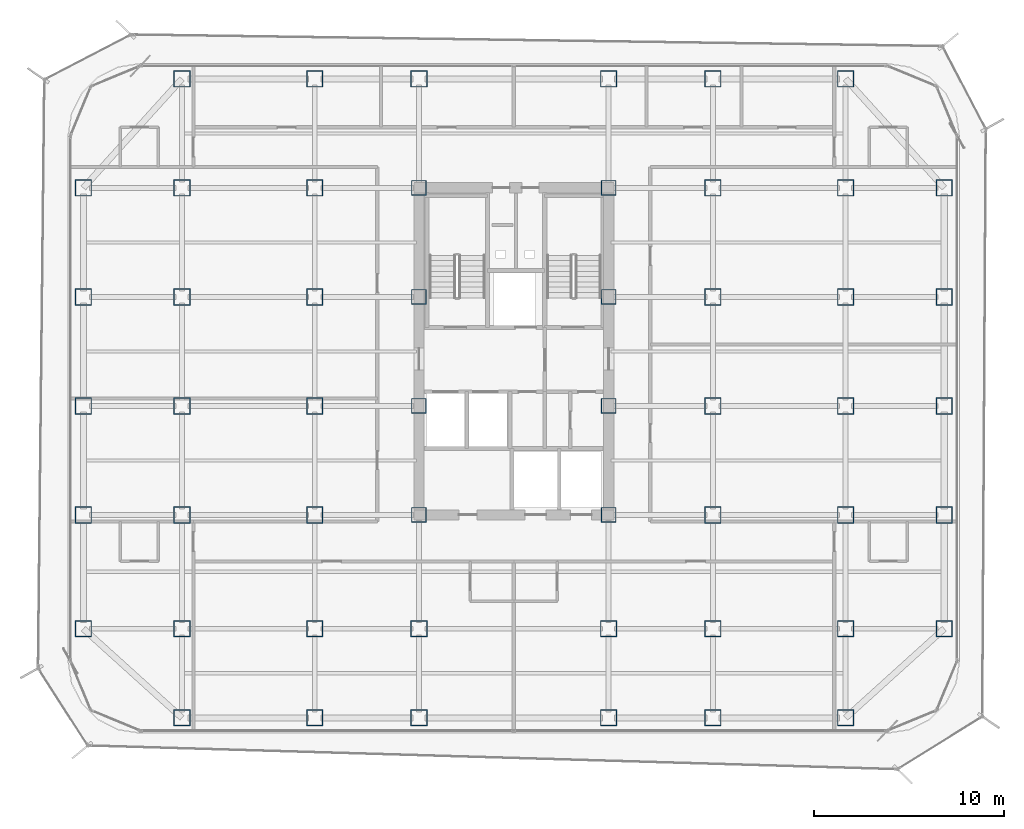
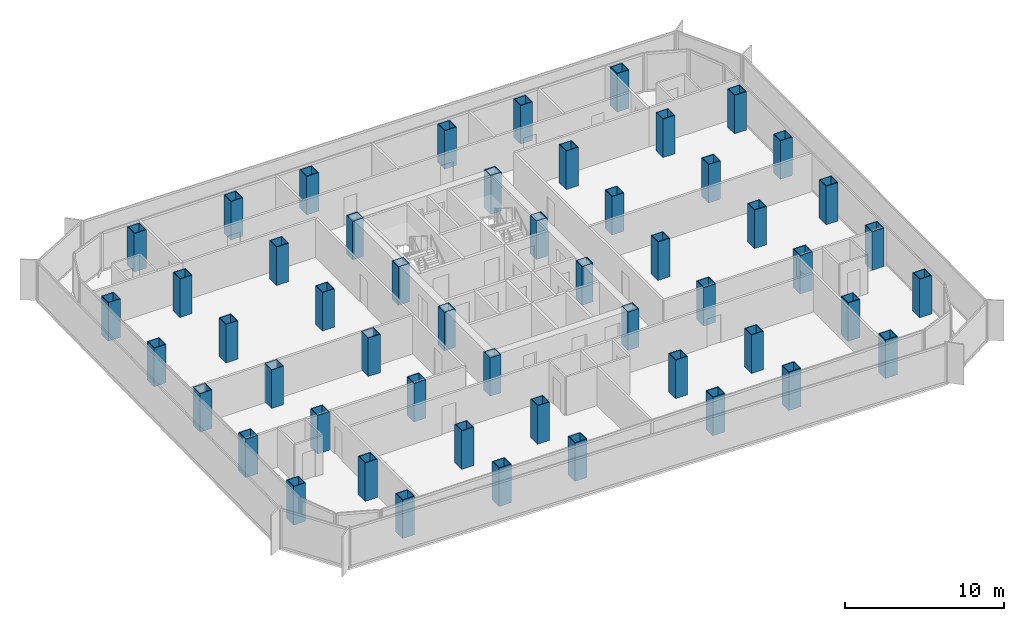
# One storey, part 1 of 21: 52 columns.
"""IFC4 building model written with IfcOpenShell, lengths in metres."""

from ifc_helpers import new_model, si_unit, direction, frame, origin, origin_2d, place, context, subcontext, project, spatial, hollow_rectangle, extrude, source, transform, mapped, material, material_profile, profile_set, type_object, element, save


model = new_model("IFC4")

# Units and contexts
model_context = context("Model", 3, precision=1e-05, world=origin(), true_north=direction((0.0, 1.0)))
body_context = subcontext(model_context, "Body", "Model", "MODEL_VIEW")
ifc_project = project(units=[si_unit("LENGTHUNIT", "METRE"), si_unit("AREAUNIT", "SQUARE_METRE"), si_unit("VOLUMEUNIT", "CUBIC_METRE"), si_unit("PLANEANGLEUNIT", "RADIAN"), si_unit("MASSUNIT", "GRAM", prefix="KILO")], contexts=[model_context])

# Site, building, storey
site_placement = place(None, origin())
site = spatial("IfcSite", under=ifc_project, at=site_placement, CompositionType="ELEMENT")
building_placement = place(site_placement, origin())
building = spatial("IfcBuilding", under=site, at=building_placement, Name="Kolveth Station Tower", CompositionType="ELEMENT")
storey_placement = place(building_placement, frame((0.0, 0.0, 131.10009765625)))
storey = spatial("IfcBuildingStorey", under=building, at=storey_placement, Name="L36", CompositionType="ELEMENT", Elevation=131.10009765625)

# Columns
ifc_material_1 = material(Name="Steel S460", Category="steel")
ifc_material_profile_1 = material_profile(ifc_material_1, hollow_rectangle(XDim=0.8798828125, YDim=0.8798828125, WallThickness=0.050048828125, at=origin_2d()), Name="BOX880x880x50")
ifc_profile_set_1 = profile_set([ifc_material_profile_1], Name="Steel S460")
column_type_1 = type_object("IfcColumnType", Name="Col_C4", PredefinedType="COLUMN", material=ifc_profile_set_1)
shared_shape_1 = source(origin(), body_context, "Body", "SweptSolid", [
    extrude(hollow_rectangle(XDim=0.8798828125, YDim=0.8798828125, WallThickness=0.050048828125, at=origin_2d()), origin(), (0.0, 0.0, 1.0), 2.949951171875),
])
for number, where, z_axis, x_axis, name in (
    (1, (6.0, 0.800048828125, 0.0), (0.0, 0.0, 1.0), (1.0, 0.0, 0.0), "L36 Tower Column S-X60"),
    (2, (6.0, 34.5, 0.0), (0.0, 0.0, 1.0), (1.0, 0.0, 0.0), "L36 Tower Column N-X60"),
    (3, (13.0, 0.800048828125, 0.0), (0.0, 0.0, 1.0), (1.0, 0.0, 0.0), "L36 Tower Column S-X130"),
    (4, (13.0, 34.5, 0.0), (0.0, 0.0, 1.0), (1.0, 0.0, 0.0), "L36 Tower Column N-X130"),
    (5, (18.5, 0.800048828125, 0.0), (0.0, 0.0, 1.0), (1.0, 0.0, 0.0), "L36 Tower Column S-X185"),
    (6, (18.5, 34.5, 0.0), (0.0, 0.0, 1.0), (1.0, 0.0, 0.0), "L36 Tower Column N-X185"),
    (7, (28.5, 0.800048828125, 0.0), (0.0, 0.0, 1.0), (1.0, 0.0, 0.0), "L36 Tower Column S-X285"),
    (8, (28.5, 34.5, 0.0), (0.0, 0.0, 1.0), (1.0, 0.0, 0.0), "L36 Tower Column N-X285"),
    (9, (34.0, 0.800048828125, 0.0), (0.0, 0.0, 1.0), (1.0, 0.0, 0.0), "L36 Tower Column S-X340"),
    (10, (34.0, 34.5, 0.0), (0.0, 0.0, 1.0), (1.0, 0.0, 0.0), "L36 Tower Column N-X340"),
    (11, (41.0, 0.800048828125, 0.0), (0.0, 0.0, 1.0), (1.0, 0.0, 0.0), "L36 Tower Column S-X410"),
    (12, (41.0, 34.5, 0.0), (0.0, 0.0, 1.0), (1.0, 0.0, 0.0), "L36 Tower Column N-X410"),
    (13, (0.800048828125, 5.5, 0.0), (0.0, 0.0, 1.0), (1.0, 0.0, 0.0), "L36 Tower Column W-Y55"),
    (14, (46.199951171875, 5.5, 0.0), (0.0, 0.0, 1.0), (1.0, 0.0, 0.0), "L36 Tower Column E-Y55"),
    (15, (0.800048828125, 11.5, 0.0), (0.0, 0.0, 1.0), (1.0, 0.0, 0.0), "L36 Tower Column W-Y115"),
    (16, (46.199951171875, 11.5, 0.0), (0.0, 0.0, 1.0), (1.0, 0.0, 0.0), "L36 Tower Column E-Y115"),
    (17, (0.800048828125, 17.25, 0.0), (0.0, 0.0, 1.0), (1.0, 0.0, 0.0), "L36 Tower Column W-Y172"),
    (18, (46.199951171875, 17.25, 0.0), (0.0, 0.0, 1.0), (1.0, 0.0, 0.0), "L36 Tower Column E-Y172"),
    (19, (0.800048828125, 23.0, 0.0), (0.0, 0.0, 1.0), (1.0, 0.0, 0.0), "L36 Tower Column W-Y230"),
    (20, (46.199951171875, 23.0, 0.0), (0.0, 0.0, 1.0), (1.0, 0.0, 0.0), "L36 Tower Column E-Y230"),
    (21, (0.800048828125, 28.75, 0.0), (0.0, 0.0, 1.0), (1.0, 0.0, 0.0), "L36 Tower Column W-Y287"),
    (22, (46.199951171875, 28.75, 0.0), (0.0, 0.0, 1.0), (1.0, 0.0, 0.0), "L36 Tower Column E-Y287"),
    (23, (6.0, 5.5, 0.0), (0.0, 0.0, 1.0), (1.0, 0.0, 0.0), "L36 Tower Column G-60-55"),
    (24, (6.0, 11.5, 0.0), (0.0, 0.0, 1.0), (1.0, 0.0, 0.0), "L36 Tower Column G-60-115"),
    (25, (6.0, 17.25, 0.0), (0.0, 0.0, 1.0), (1.0, 0.0, 0.0), "L36 Tower Column G-60-172"),
    (26, (6.0, 23.0, 0.0), (0.0, 0.0, 1.0), (1.0, 0.0, 0.0), "L36 Tower Column G-60-230"),
    (27, (6.0, 28.75, 0.0), (0.0, 0.0, 1.0), (1.0, 0.0, 0.0), "L36 Tower Column G-60-287"),
    (28, (13.0, 5.5, 0.0), (0.0, 0.0, 1.0), (1.0, 0.0, 0.0), "L36 Tower Column G-130-55"),
    (29, (13.0, 11.5, 0.0), (0.0, 0.0, 1.0), (1.0, 0.0, 0.0), "L36 Tower Column G-130-115"),
    (30, (13.0, 17.25, 0.0), (0.0, 0.0, 1.0), (1.0, 0.0, 0.0), "L36 Tower Column G-130-172"),
    (31, (13.0, 23.0, 0.0), (0.0, 0.0, 1.0), (1.0, 0.0, 0.0), "L36 Tower Column G-130-230"),
    (32, (13.0, 28.75, 0.0), (0.0, 0.0, 1.0), (1.0, 0.0, 0.0), "L36 Tower Column G-130-287"),
    (33, (18.5, 5.5, 0.0), (0.0, 0.0, 1.0), (1.0, 0.0, 0.0), "L36 Tower Column G-185-55"),
    (34, (28.5, 5.5, 0.0), (0.0, 0.0, 1.0), (1.0, 0.0, 0.0), "L36 Tower Column G-285-55"),
    (35, (34.0, 5.5, 0.0), (0.0, 0.0, 1.0), (1.0, 0.0, 0.0), "L36 Tower Column G-340-55"),
    (36, (34.0, 11.5, 0.0), (0.0, 0.0, 1.0), (1.0, 0.0, 0.0), "L36 Tower Column G-340-115"),
    (37, (34.0, 17.25, 0.0), (0.0, 0.0, 1.0), (1.0, 0.0, 0.0), "L36 Tower Column G-340-172"),
    (38, (34.0, 23.0, 0.0), (0.0, 0.0, 1.0), (1.0, 0.0, 0.0), "L36 Tower Column G-340-230"),
    (39, (34.0, 28.75, 0.0), (0.0, 0.0, 1.0), (1.0, 0.0, 0.0), "L36 Tower Column G-340-287"),
    (40, (41.0, 5.5, 0.0), (0.0, 0.0, 1.0), (1.0, 0.0, 0.0), "L36 Tower Column G-410-55"),
    (41, (41.0, 11.5, 0.0), (0.0, 0.0, 1.0), (1.0, 0.0, 0.0), "L36 Tower Column G-410-115"),
    (42, (41.0, 17.25, 0.0), (0.0, 0.0, 1.0), (1.0, 0.0, 0.0), "L36 Tower Column G-410-172"),
    (43, (41.0, 23.0, 0.0), (0.0, 0.0, 1.0), (1.0, 0.0, 0.0), "L36 Tower Column G-410-230"),
    (44, (41.0, 28.75, 0.0), (0.0, 0.0, 1.0), (1.0, 0.0, 0.0), "L36 Tower Column G-410-287"),
):
    element("IfcColumn", number, at=place(storey_placement, frame(where, z_axis=z_axis, x_axis=x_axis)), inside=storey, type_object=column_type_1, Name=name, PredefinedType="COLUMN", context=body_context, shape_type="MappedRepresentation", body=[
        mapped(shared_shape_1, transform((0.0, 0.0, 0.0), x_axis=(1.0, 0.0, 0.0), y_axis=(0.0, 1.0, 0.0), z_axis=(0.0, 0.0, 1.0), scale=1.0)),
    ])
ifc_material_2 = material(Name="Steel S355", Category="steel")
ifc_material_profile_2 = material_profile(ifc_material_2, hollow_rectangle(XDim=0.800048828125, YDim=0.800048828125, WallThickness=0.044921875, at=origin_2d()), Name="BOX800x800x45")
ifc_profile_set_2 = profile_set([ifc_material_profile_2], Name="Steel S355")
column_type_2 = type_object("IfcColumnType", Name="Col_C5", PredefinedType="COLUMN", material=ifc_profile_set_2)
shared_shape_2 = source(origin(), body_context, "Body", "SweptSolid", [
    extrude(hollow_rectangle(XDim=0.800048828125, YDim=0.800048828125, WallThickness=0.044921875, at=origin_2d()), origin(), (0.0, 0.0, 1.0), 2.949951171875),
])
for number, where, z_axis, x_axis, name in (
    (45, (18.5, 11.5, 0.0), (0.0, 0.0, 1.0), (1.0, 0.0, 0.0), "L36 Tower Column G-185-115"),
    (46, (18.5, 17.25, 0.0), (0.0, 0.0, 1.0), (1.0, 0.0, 0.0), "L36 Tower Column G-185-172"),
    (47, (18.5, 23.0, 0.0), (0.0, 0.0, 1.0), (1.0, 0.0, 0.0), "L36 Tower Column G-185-230"),
    (48, (18.5, 28.75, 0.0), (0.0, 0.0, 1.0), (1.0, 0.0, 0.0), "L36 Tower Column G-185-287"),
    (49, (28.5, 11.5, 0.0), (0.0, 0.0, 1.0), (1.0, 0.0, 0.0), "L36 Tower Column G-285-115"),
    (50, (28.5, 17.25, 0.0), (0.0, 0.0, 1.0), (1.0, 0.0, 0.0), "L36 Tower Column G-285-172"),
    (51, (28.5, 23.0, 0.0), (0.0, 0.0, 1.0), (1.0, 0.0, 0.0), "L36 Tower Column G-285-230"),
    (52, (28.5, 28.75, 0.0), (0.0, 0.0, 1.0), (1.0, 0.0, 0.0), "L36 Tower Column G-285-287"),
):
    element("IfcColumn", number, at=place(storey_placement, frame(where, z_axis=z_axis, x_axis=x_axis)), inside=storey, type_object=column_type_2, Name=name, PredefinedType="COLUMN", context=body_context, shape_type="MappedRepresentation", body=[
        mapped(shared_shape_2, transform((0.0, 0.0, 0.0), x_axis=(1.0, 0.0, 0.0), y_axis=(0.0, 1.0, 0.0), z_axis=(0.0, 0.0, 1.0), scale=1.0)),
    ])

save(model, "model.ifc")
